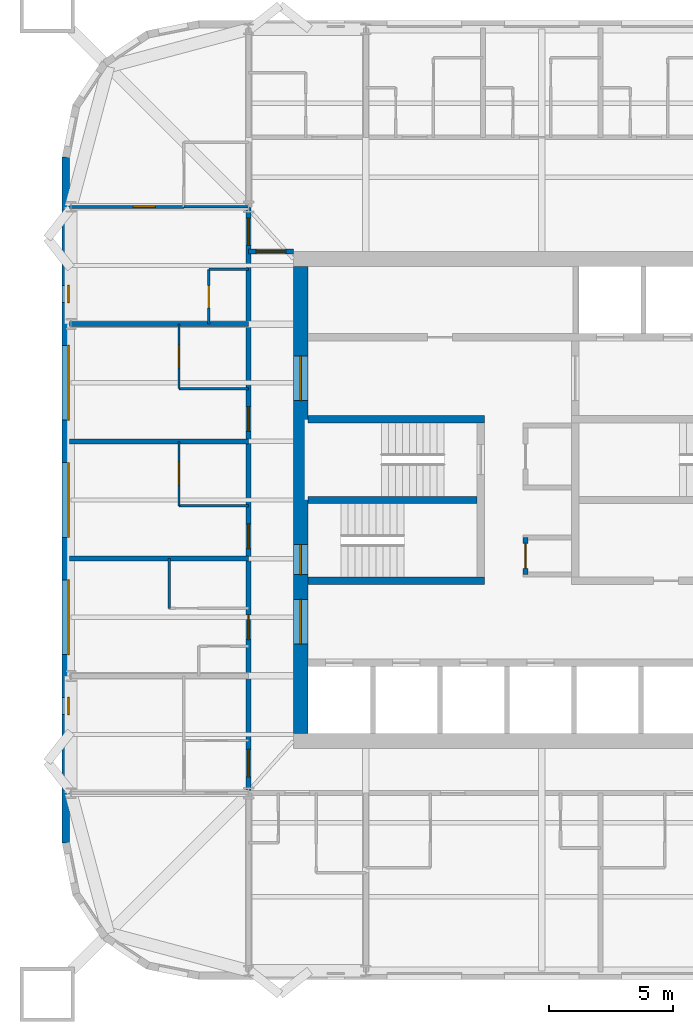
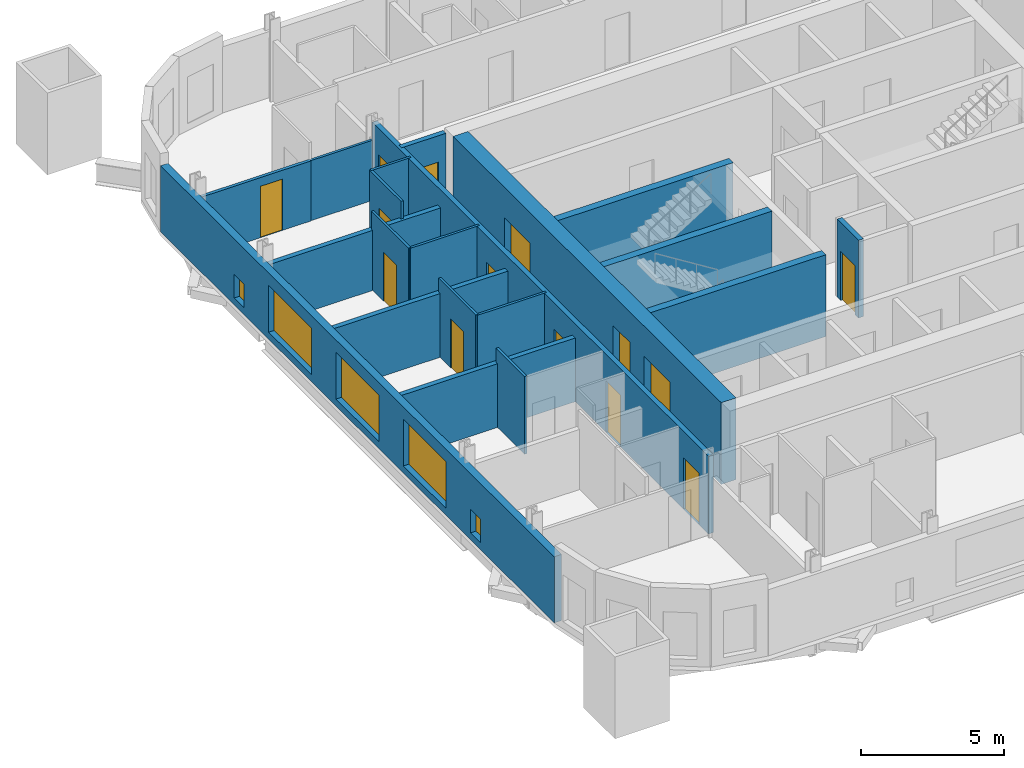
# One storey, part 4 of 9: 20 walls, 14 doors, 5 windows, 19 openings.
"""IFC4 building model written with IfcOpenShell, lengths in metres."""

import ifcopenshell
import ifcopenshell.guid

model = None  # the IFC model being written
_history = None  # IfcOwnerHistory: only IFC2X3 demands one
_inside = {}  # id of a spatial element -> (the spatial element, [elements in it])
_under = {}  # id of a project, library or spatial element -> (it, [spatial elements below it])
_declared = {}  # id of a project -> (the project, [libraries it declares])
_typed = {}  # id of a type object -> (the type object, [elements of that type])
_made_of = {}  # id of a material, layer set ... -> (it, [elements and type objects made of it])


def new_model(schema):
    """Start an empty IFC model of exactly this schema.

    Asked for "IFC4X3", IfcOpenShell would pick the latest addendum, in which some entities
    have other attributes; the version numbers below select the first issue.
    IFC2X3 requires an IfcOwnerHistory on every rooted entity: one is made here for all.
    """
    global model, _history
    if schema == "IFC4X3":
        model = ifcopenshell.file(schema_version=(4, 3, 0, 0))
    else:
        model = ifcopenshell.file(schema=schema)
    _inside.clear()
    _under.clear()
    _declared.clear()
    _typed.clear()
    _made_of.clear()
    _history = None
    if model.schema == "IFC2X3":
        org = make("IfcOrganization", Name="unknown")
        user = make(
            "IfcPersonAndOrganization",
            ThePerson=make("IfcPerson", FamilyName="unknown"),
            TheOrganization=org,
        )
        app = make(
            "IfcApplication",
            ApplicationDeveloper=org,
            Version="unknown",
            ApplicationFullName="unknown",
            ApplicationIdentifier="unknown",
        )
        _history = make(
            "IfcOwnerHistory",
            OwningUser=user,
            OwningApplication=app,
            ChangeAction="ADDED",
            CreationDate=0,
        )
    return model


def make(cls, **values):
    """One entity of the class cls with the attributes given. An attribute that is None is left unset."""
    return model.create_entity(
        cls, **{name: value for name, value in values.items() if value is not None}
    )


def rooted(cls, **values):
    """An entity with a GlobalId (a new one), such as an element, a storey or a relation."""
    return make(cls, GlobalId=ifcopenshell.guid.new(), OwnerHistory=_history, **values)


def si_unit(unit_type, name, prefix=None):
    """IfcSIUnit, for example si_unit("LENGTHUNIT", "METRE", prefix="MILLI")."""
    return make("IfcSIUnit", UnitType=unit_type, Prefix=prefix, Name=name)


def assignment(units):
    """IfcUnitAssignment: the units of a project."""
    return None if units is None else make("IfcUnitAssignment", Units=units)


def point(xyz):
    """IfcCartesianPoint."""
    return None if xyz is None else make("IfcCartesianPoint", Coordinates=xyz)


def direction(xyz):
    """IfcDirection."""
    return None if xyz is None else make("IfcDirection", DirectionRatios=xyz)


def frame(location, z_axis=None, x_axis=None):
    """IfcAxis2Placement3D, a coordinate frame: its origin and axes. An axis left out is left unset."""
    return make(
        "IfcAxis2Placement3D",
        Location=point(location),
        Axis=direction(z_axis),
        RefDirection=direction(x_axis),
    )


def frame_2d(location, x_axis=None):
    """IfcAxis2Placement2D, a coordinate frame in the plane: its origin and x axis."""
    return make(
        "IfcAxis2Placement2D", Location=point(location), RefDirection=direction(x_axis)
    )


def origin():
    """The frame at (0, 0, 0) with its axes left unset."""
    return frame((0.0, 0.0, 0.0))


def place(relative_to, where):
    """IfcLocalPlacement: puts the frame where relative to a parent placement (None: the world)."""
    return make(
        "IfcLocalPlacement", PlacementRelTo=relative_to, RelativePlacement=where
    )


def context(
    kind, dimensions, precision=None, world=None, true_north=None, identifier=None
):
    """IfcGeometricRepresentationContext, for example the 3D "Model" context."""
    return make(
        "IfcGeometricRepresentationContext",
        ContextIdentifier=identifier,
        ContextType=kind,
        CoordinateSpaceDimension=dimensions,
        Precision=precision,
        WorldCoordinateSystem=world,
        TrueNorth=true_north,
    )


def subcontext(parent, identifier, kind, view, scale=None):
    """IfcGeometricRepresentationSubContext, for example "Body" below "Model"."""
    return make(
        "IfcGeometricRepresentationSubContext",
        ContextIdentifier=identifier,
        ContextType=kind,
        ParentContext=parent,
        TargetScale=scale,
        TargetView=view,
    )


def project(units=None, contexts=None):
    """IfcProject with its units and contexts."""
    return rooted(
        "IfcProject",
        Name="project",
        RepresentationContexts=contexts,
        UnitsInContext=assignment(units),
    )


def spatial(cls, under=None, at=None, **own):
    """A site, building, storey or space (cls), placed at a placement, below another one or the project."""
    s = rooted(cls, ObjectPlacement=at, **own)
    if under is not None:
        _under.setdefault(under.id(), (under, []))[1].append(s)
    return s


def profile(cls, at=None, kind="AREA", **sizes):
    """A parametric profile (cls). Its sizes go by their IFC names, for example OverallWidth=200.0."""
    return make(cls, ProfileType=kind, Position=at, **sizes)


def rectangle(**sizes):
    """IfcRectangleProfileDef."""
    return profile("IfcRectangleProfileDef", **sizes)


def extrude(swept, where, along, depth):
    """IfcExtrudedAreaSolid: the profile swept, set in the frame where, extruded along a direction by depth."""
    return make(
        "IfcExtrudedAreaSolid",
        SweptArea=swept,
        Position=where,
        ExtrudedDirection=direction(along),
        Depth=depth,
    )


def shape(context_of_items, identifier, shape_type, items):
    """IfcShapeRepresentation: the items that make up one representation, for example the "Body"."""
    return make(
        "IfcShapeRepresentation",
        ContextOfItems=context_of_items,
        RepresentationIdentifier=identifier,
        RepresentationType=shape_type,
        Items=items,
    )


def material(Name=None, Category=None):
    """IfcMaterial."""
    return make("IfcMaterial", Name=Name, Category=Category)


def layer(
    of_material, thickness, ventilated=None, Name=None, Category=None, Priority=None
):
    """IfcMaterialLayer: one layer of a wall or slab, of a material (None: an air gap)."""
    return make(
        "IfcMaterialLayer",
        Material=of_material,
        LayerThickness=thickness,
        IsVentilated=ventilated,
        Name=Name,
        Category=Category,
        Priority=Priority,
    )


def layer_set(layers, Name=None):
    """IfcMaterialLayerSet."""
    return make("IfcMaterialLayerSet", MaterialLayers=layers, LayerSetName=Name)


def made_of(thing, what):
    """Note that an element or type object is made of a material, layer set ...; save() writes the relation."""
    if what is not None:
        _made_of.setdefault(what.id(), (what, []))[1].append(thing)
    return thing


def type_object(cls, material=None, **own):
    """A type object (cls), such as IfcWallType, which elements share."""
    return made_of(rooted(cls, **own), material)


def element(
    cls,
    number,
    at=None,
    inside=None,
    cuts=None,
    type_object=None,
    material=None,
    context=None,
    identifier="Body",
    shape_type=None,
    held_by="IfcProductDefinitionShape",
    body=None,
    shapes=None,
    **own,
):
    """One element of the class cls, such as IfcWall. Its Tag is "e" and its number.

    at: its placement. inside: the storey or other place that contains it. cuts: it is an
    opening in that element (IfcRelVoidsElement). A single representation is given by context,
    identifier, shape_type and body (its items); several are given by shapes. held_by: the class
    of the entity that holds the representations. save() writes the other relations.
    """
    e = rooted(cls, Tag="e%d" % number, ObjectPlacement=at, **own)
    if body is not None:
        shapes = [shape(context, identifier, shape_type, body)]
    if shapes is not None:
        e.Representation = make(held_by, Representations=shapes)
    if inside is not None:
        _inside.setdefault(inside.id(), (inside, []))[1].append(e)
    if cuts is not None:
        rooted(
            "IfcRelVoidsElement", RelatingBuildingElement=cuts, RelatedOpeningElement=e
        )
    if type_object is not None:
        _typed.setdefault(type_object.id(), (type_object, []))[1].append(e)
    return made_of(e, material)


def fill(opening, filler):
    """IfcRelFillsElement: the door or window that sits in an opening."""
    return rooted(
        "IfcRelFillsElement",
        RelatingOpeningElement=opening,
        RelatedBuildingElement=filler,
    )


def aggregate(whole, parts):
    """IfcRelAggregates: a whole, such as a stair, and the parts it consists of."""
    return rooted("IfcRelAggregates", RelatingObject=whole, RelatedObjects=parts)


def save(model, path):
    """Write the relations noted so far, then the file.

    IfcRelAggregates (storeys below a building ...), IfcRelContainedInSpatialStructure (elements
    in a storey), IfcRelDefinesByType, IfcRelAssociatesMaterial and IfcRelDeclares: one each for
    every whole, place, type object, material and project.
    """
    for whole, parts in _under.values():
        aggregate(whole, parts)
    for where, things in _inside.values():
        rooted(
            "IfcRelContainedInSpatialStructure",
            RelatedElements=things,
            RelatingStructure=where,
        )
    for kind, things in _typed.values():
        rooted("IfcRelDefinesByType", RelatedObjects=things, RelatingType=kind)
    for what, things in _made_of.values():
        rooted("IfcRelAssociatesMaterial", RelatedObjects=things, RelatingMaterial=what)
    for by, libraries in _declared.values():
        rooted("IfcRelDeclares", RelatingContext=by, RelatedDefinitions=libraries)
    model.write(path)


model = new_model("IFC4")

# Units and contexts
model_context = context("Model", 3, precision=1e-05, world=origin(), true_north=direction((0.0, 1.0)))
body_context = subcontext(model_context, "Body", "Model", "MODEL_VIEW")
ifc_project = project(units=[si_unit("LENGTHUNIT", "METRE"), si_unit("AREAUNIT", "SQUARE_METRE"), si_unit("VOLUMEUNIT", "CUBIC_METRE"), si_unit("PLANEANGLEUNIT", "RADIAN"), si_unit("MASSUNIT", "GRAM", prefix="KILO")], contexts=[model_context])

# Site, building, storey
site_placement = place(None, origin())
site = spatial("IfcSite", under=ifc_project, at=site_placement, CompositionType="ELEMENT")
building_placement = place(site_placement, origin())
building = spatial("IfcBuilding", under=site, at=building_placement, Name="Turquesa Mirador Hotel Tower", CompositionType="ELEMENT")
storey_placement = place(building_placement, frame((0.0, 0.0, 175.800048828125)))
storey = spatial("IfcBuildingStorey", under=building, at=storey_placement, Name="L47", CompositionType="ELEMENT", Elevation=175.800048828125)

# Walls
ifc_material_1 = material(Name="Gypsum board on steel studs", Category="steel")
ifc_layer_1 = layer(ifc_material_1, 0.10009765625)
ifc_layer_set_1 = layer_set([ifc_layer_1], Name="BATHROOM WALL 100")
wall_type_1 = type_object("IfcWallType", Name="BATHROOM WALL 100", PredefinedType="PARTITIONING", material=ifc_layer_set_1)
wall_1_placement = place(storey_placement, frame((40.39990234375, 44.760009765625, 0.0), z_axis=(0.0, 0.0, 1.0), x_axis=(1.0, 0.0, 0.0)))
element("IfcWall", 1, at=wall_1_placement, inside=storey, type_object=wall_type_1, Name="Partition L47 001", PredefinedType="PARTITIONING", context=body_context, shape_type="SweptSolid", body=[
    extrude(rectangle(XDim=2.800048828125, YDim=0.10009765625, at=frame_2d((1.39990234375, 0.0))), origin(), (0.0, 0.0, 1.0), 3.329833984375),
])
wall_2_placement = place(storey_placement, frame((40.60009765625, 56.800048828125, 0.0), z_axis=(0.0, 0.0, 1.0), x_axis=(1.0, 0.0, 0.0)))
element("IfcWall", 2, at=wall_2_placement, inside=storey, type_object=wall_type_1, Name="Partition L47 026", PredefinedType="PARTITIONING", context=body_context, shape_type="SweptSolid", body=[
    extrude(rectangle(XDim=2.599853515625, YDim=0.10009765625, at=frame_2d((1.2998046875, 0.0))), origin(), (0.0, 0.0, 1.0), 2.572998046875),
])
wall_3_placement = place(storey_placement, frame((40.39990234375, 49.47998046875, 0.0), z_axis=(0.0, 0.0, 1.0), x_axis=(1.0, 0.0, 0.0)))
element("IfcWall", 3, at=wall_3_placement, inside=storey, type_object=wall_type_1, Name="Partition L47 042", PredefinedType="PARTITIONING", context=body_context, shape_type="SweptSolid", body=[
    extrude(rectangle(XDim=2.800048828125, YDim=0.10009765625, at=frame_2d((1.39990234375, 0.0))), origin(), (0.0, 0.0, 1.0), 3.329833984375),
])
wall_4_placement = place(storey_placement, frame((41.60009765625, 54.280029296875, 0.0), z_axis=(0.0, 0.0, 1.0), x_axis=(1.0, 0.0, 0.0)))
element("IfcWall", 4, at=wall_4_placement, inside=storey, type_object=wall_type_1, Name="Partition L47 046", PredefinedType="PARTITIONING", context=body_context, shape_type="SweptSolid", body=[
    extrude(rectangle(XDim=1.599853515625, YDim=0.10009765625, at=frame_2d((0.7998046875, 0.0))), origin(), (0.0, 0.0, 1.0), 3.329833984375),
])

# Wall, opening, door
wall_5_placement = place(storey_placement, frame((41.60009765625, 52.080078125, 0.0), z_axis=(0.0, 0.0, 1.0), x_axis=(0.0, 1.0, 0.0)))
wall_5 = element("IfcWall", 5, at=wall_5_placement, inside=storey, type_object=wall_type_1, Name="Partition L47 053", PredefinedType="PARTITIONING", context=body_context, shape_type="SweptSolid", body=[
    extrude(rectangle(XDim=2.199951171875, YDim=0.10009765625, at=frame_2d((1.10009765625, 0.0))), origin(), (0.0, 0.0, 1.0), 3.329833984375),
])
opening_1_placement = place(wall_5_placement, frame((0.64990234375, 0.0, 0.0)))
opening_1 = element("IfcOpeningElement", 6, at=opening_1_placement, cuts=wall_5, Name="Opening D06", PredefinedType="OPENING", context=body_context, shape_type="SweptSolid", body=[
    extrude(rectangle(XDim=0.89990234375, YDim=2.10009765625, at=frame_2d((0.449951171875, 1.050048828125))), frame((0.0, 0.06005859375, 0.0), z_axis=(0.0, -1.0, 0.0), x_axis=(1.0, 0.0, 0.0)), (0.0, 0.0, 1.0), 0.1201171875),
])
ifc_material_2 = material(Name="Laminate door", Category="wood")
door_type_1 = type_object("IfcDoorType", Name="DOOR 900X2100 WC", OperationType="SINGLE_SWING_LEFT", PredefinedType="DOOR", material=ifc_material_2)
door_1_placement = place(opening_1_placement, origin())
door_1 = element("IfcDoor", 7, at=door_1_placement, inside=storey, type_object=door_type_1, Name="Door 4716W", OperationType="SINGLE_SWING_LEFT", OverallHeight=2.10009765625, OverallWidth=0.89990234375, PredefinedType="DOOR", context=body_context, shape_type="SweptSolid", body=[
    extrude(rectangle(XDim=0.89990234375, YDim=2.10009765625, at=frame_2d((0.449951171875, 1.050048828125))), frame((0.0, 0.02490234375, 0.0), z_axis=(0.0, -1.0, 0.0), x_axis=(1.0, 0.0, 0.0)), (0.0, 0.0, 1.0), 0.050048828125),
])
fill(opening_1, door_1)

wall_6_placement = place(storey_placement, frame((40.39990234375, 44.760009765625, 0.0), z_axis=(0.0, 0.0, 1.0), x_axis=(0.0, 1.0, 0.0)))
wall_6 = element("IfcWall", 8, at=wall_6_placement, inside=storey, type_object=wall_type_1, Name="Partition L47 058", PredefinedType="PARTITIONING", context=body_context, shape_type="SweptSolid", body=[
    extrude(rectangle(XDim=2.60009765625, YDim=0.10009765625, at=frame_2d((1.300048828125, 0.0))), origin(), (0.0, 0.0, 1.0), 3.329833984375),
])
opening_2_placement = place(wall_6_placement, frame((0.85009765625, 0.0, 0.0)))
opening_2 = element("IfcOpeningElement", 9, at=opening_2_placement, cuts=wall_6, Name="Opening D02", PredefinedType="OPENING", context=body_context, shape_type="SweptSolid", body=[
    extrude(rectangle(XDim=0.89990234375, YDim=2.10009765625, at=frame_2d((0.449951171875, 1.050048828125))), frame((0.0, 0.06005859375, 0.0), z_axis=(0.0, -1.0, 0.0), x_axis=(1.0, 0.0, 0.0)), (0.0, 0.0, 1.0), 0.1201171875),
])
ifc_material_3 = material(Name="Timber veneered door", Category="wood")
door_type_2 = type_object("IfcDoorType", Name="DOOR 900X2100 EN-SUITE", OperationType="SINGLE_SWING_RIGHT", PredefinedType="DOOR", material=ifc_material_3)
door_2_placement = place(opening_2_placement, origin())
door_2 = element("IfcDoor", 10, at=door_2_placement, inside=storey, type_object=door_type_2, Name="Door 4713B", OperationType="SINGLE_SWING_RIGHT", OverallHeight=2.10009765625, OverallWidth=0.89990234375, PredefinedType="DOOR", context=body_context, shape_type="SweptSolid", body=[
    extrude(rectangle(XDim=0.89990234375, YDim=2.10009765625, at=frame_2d((0.449951171875, 1.050048828125))), frame((0.0, 0.02490234375, 0.0), z_axis=(0.0, -1.0, 0.0), x_axis=(1.0, 0.0, 0.0)), (0.0, 0.0, 1.0), 0.050048828125),
])
fill(opening_2, door_2)

wall_7_placement = place(storey_placement, frame((40.39990234375, 49.47998046875, 0.0), z_axis=(0.0, 0.0, 1.0), x_axis=(0.0, 1.0, 0.0)))
wall_7 = element("IfcWall", 11, at=wall_7_placement, inside=storey, type_object=wall_type_1, Name="Partition L47 059", PredefinedType="PARTITIONING", context=body_context, shape_type="SweptSolid", body=[
    extrude(rectangle(XDim=2.60009765625, YDim=0.10009765625, at=frame_2d((1.300048828125, 0.0))), origin(), (0.0, 0.0, 1.0), 3.329833984375),
])
opening_3_placement = place(wall_7_placement, frame((0.85009765625, 0.0, 0.0)))
opening_3 = element("IfcOpeningElement", 12, at=opening_3_placement, cuts=wall_7, Name="Opening D02", PredefinedType="OPENING", context=body_context, shape_type="SweptSolid", body=[
    extrude(rectangle(XDim=0.89990234375, YDim=2.10009765625, at=frame_2d((0.449951171875, 1.050048828125))), frame((0.0, 0.06005859375, 0.0), z_axis=(0.0, -1.0, 0.0), x_axis=(1.0, 0.0, 0.0)), (0.0, 0.0, 1.0), 0.1201171875),
])
door_3_placement = place(opening_3_placement, origin())
door_3 = element("IfcDoor", 13, at=door_3_placement, inside=storey, type_object=door_type_2, Name="Door 4714B", OperationType="SINGLE_SWING_RIGHT", OverallHeight=2.10009765625, OverallWidth=0.89990234375, PredefinedType="DOOR", context=body_context, shape_type="SweptSolid", body=[
    extrude(rectangle(XDim=0.89990234375, YDim=2.10009765625, at=frame_2d((0.449951171875, 1.050048828125))), frame((0.0, 0.02490234375, 0.0), z_axis=(0.0, -1.0, 0.0), x_axis=(1.0, 0.0, 0.0)), (0.0, 0.0, 1.0), 0.050048828125),
])
fill(opening_3, door_3)

# Walls
wall_8_placement = place(storey_placement, frame((40.0, 40.639892578125, 0.0), z_axis=(0.0, 0.0, 1.0), x_axis=(0.0, 1.0, 0.0)))
element("IfcWall", 14, at=wall_8_placement, inside=storey, type_object=wall_type_1, Name="Partition L47 060", PredefinedType="PARTITIONING", context=body_context, shape_type="SweptSolid", body=[
    extrude(rectangle(XDim=2.0, YDim=0.10009765625, at=frame_2d((1.0, 0.0))), origin(), (0.0, 0.0, 1.0), 3.329833984375),
])
ifc_material_4 = material(Name="Concrete C50/60", Category="concrete")
ifc_layer_2 = layer(ifc_material_4, 0.300048828125)
ifc_layer_set_2 = layer_set([ifc_layer_2], Name="CORE INNER WALL 300")
wall_type_2 = type_object("IfcWallType", Name="CORE INNER WALL 300", PredefinedType="SHEAR", material=ifc_layer_set_2)
for number, where, z_axis, x_axis, name in (
    (15, (45.60009765625, 48.25, 0.0), (0.0, 0.0, 1.0), (1.0, 0.0, 0.0), "Core wall MN-W"),
    (16, (45.60009765625, 41.75, 0.0), (0.0, 0.0, 1.0), (1.0, 0.0, 0.0), "Core wall MS-W"),
):
    element("IfcWall", number, at=place(storey_placement, frame(where, z_axis=z_axis, x_axis=x_axis)), inside=storey, type_object=wall_type_2, Name=name, PredefinedType="SHEAR", context=body_context, shape_type="SweptSolid", body=[
        extrude(rectangle(XDim=7.099853515625, YDim=0.300048828125, at=frame_2d((3.5498046875, 0.0))), origin(), (0.0, 0.0, 1.0), 3.5),
    ])
wall_9_placement = place(storey_placement, frame((45.60009765625, 45.0, 0.0), z_axis=(0.0, 0.0, 1.0), x_axis=(1.0, 0.0, 0.0)))
element("IfcWall", 17, at=wall_9_placement, inside=storey, type_object=wall_type_2, Name="Core wall M0-W", PredefinedType="SHEAR", context=body_context, shape_type="SweptSolid", body=[
    extrude(rectangle(XDim=6.7998046875, YDim=0.300048828125, at=frame_2d((3.39990234375, 0.0))), origin(), (0.0, 0.0, 1.0), 3.5),
])

# Wall, openings, doors
ifc_material_5 = material(Name="Concrete C50/60", Category="concrete")
ifc_layer_3 = layer(ifc_material_5, 0.60009765625)
ifc_layer_set_3 = layer_set([ifc_layer_3], Name="CORE WALL 600")
wall_type_3 = type_object("IfcWallType", Name="CORE WALL 600", PredefinedType="SHEAR", material=ifc_layer_set_3)
wall_10_placement = place(storey_placement, frame((45.300048828125, 35.60009765625, 0.0), z_axis=(0.0, 0.0, 1.0), x_axis=(0.0, 1.0, 0.0)))
wall_10 = element("IfcWall", 18, at=wall_10_placement, inside=storey, type_object=wall_type_3, Name="Core wall W", PredefinedType="SHEAR", context=body_context, shape_type="SweptSolid", body=[
    extrude(rectangle(XDim=18.7998046875, YDim=0.60009765625, at=frame_2d((9.39990234375, 0.0))), origin(), (0.0, 0.0, 1.0), 3.5),
])
opening_4_placement = place(wall_10_placement, frame((13.39990234375, 0.0, 0.0)))
opening_4 = element("IfcOpeningElement", 19, at=opening_4_placement, cuts=wall_10, Name="Opening D04", PredefinedType="OPENING", context=body_context, shape_type="SweptSolid", body=[
    extrude(rectangle(XDim=1.800048828125, YDim=2.199951171875, at=frame_2d((0.89990234375, 1.10009765625))), frame((0.0, 0.31005859375, 0.0), z_axis=(0.0, -1.0, 0.0), x_axis=(1.0, 0.0, 0.0)), (0.0, 0.0, 1.0), 0.6201171875),
])
opening_5_placement = place(wall_10_placement, frame((3.60009765625, 0.0, 0.0)))
opening_5 = element("IfcOpeningElement", 20, at=opening_5_placement, cuts=wall_10, Name="Opening D04", PredefinedType="OPENING", context=body_context, shape_type="SweptSolid", body=[
    extrude(rectangle(XDim=1.800048828125, YDim=2.199951171875, at=frame_2d((0.89990234375, 1.10009765625))), frame((0.0, 0.31005859375, 0.0), z_axis=(0.0, -1.0, 0.0), x_axis=(1.0, 0.0, 0.0)), (0.0, 0.0, 1.0), 0.6201171875),
])
opening_6_placement = place(wall_10_placement, frame((6.39990234375, 0.0, 0.0)))
opening_6 = element("IfcOpeningElement", 21, at=opening_6_placement, cuts=wall_10, Name="Opening D03", PredefinedType="OPENING", context=body_context, shape_type="SweptSolid", body=[
    extrude(rectangle(XDim=1.199951171875, YDim=2.199951171875, at=frame_2d((0.60009765625, 1.10009765625))), frame((0.0, 0.31005859375, 0.0), z_axis=(0.0, -1.0, 0.0), x_axis=(1.0, 0.0, 0.0)), (0.0, 0.0, 1.0), 0.6201171875),
])
ifc_material_6 = material(Name="Steel fire door", Category="steel")
door_type_3 = type_object("IfcDoorType", Name="DOOR 1200X2200 STAIR", OperationType="SINGLE_SWING_LEFT", PredefinedType="DOOR", material=ifc_material_6)
door_4_placement = place(opening_6_placement, origin())
door_4 = element("IfcDoor", 22, at=door_4_placement, inside=storey, type_object=door_type_3, Name="Stair ST2 door", OperationType="SINGLE_SWING_LEFT", OverallHeight=2.199951171875, OverallWidth=1.199951171875, PredefinedType="DOOR", context=body_context, shape_type="SweptSolid", body=[
    extrude(rectangle(XDim=1.199951171875, YDim=2.199951171875, at=frame_2d((0.60009765625, 1.10009765625))), frame((0.0, 0.02490234375, 0.0), z_axis=(0.0, -1.0, 0.0), x_axis=(1.0, 0.0, 0.0)), (0.0, 0.0, 1.0), 0.050048828125),
])
fill(opening_6, door_4)
ifc_material_7 = material(Name="Steel fire door pair", Category="steel")
door_type_4 = type_object("IfcDoorType", Name="DOOR 1800X2200 PAIR", OperationType="DOUBLE_DOOR_SINGLE_SWING", PredefinedType="DOOR", material=ifc_material_7)
door_5_placement = place(opening_4_placement, origin())
door_5 = element("IfcDoor", 23, at=door_5_placement, inside=storey, type_object=door_type_4, Name="North lift lobby door", OperationType="DOUBLE_DOOR_SINGLE_SWING", OverallHeight=2.199951171875, OverallWidth=1.800048828125, PredefinedType="DOOR", context=body_context, shape_type="SweptSolid", body=[
    extrude(rectangle(XDim=1.800048828125, YDim=2.199951171875, at=frame_2d((0.89990234375, 1.10009765625))), frame((0.0, 0.02490234375, 0.0), z_axis=(0.0, -1.0, 0.0), x_axis=(1.0, 0.0, 0.0)), (0.0, 0.0, 1.0), 0.050048828125),
])
fill(opening_4, door_5)
door_6_placement = place(opening_5_placement, origin())
door_6 = element("IfcDoor", 24, at=door_6_placement, inside=storey, type_object=door_type_4, Name="South lift lobby door", OperationType="DOUBLE_DOOR_SINGLE_SWING", OverallHeight=2.199951171875, OverallWidth=1.800048828125, PredefinedType="DOOR", context=body_context, shape_type="SweptSolid", body=[
    extrude(rectangle(XDim=1.800048828125, YDim=2.199951171875, at=frame_2d((0.89990234375, 1.10009765625))), frame((0.0, 0.02490234375, 0.0), z_axis=(0.0, -1.0, 0.0), x_axis=(1.0, 0.0, 0.0)), (0.0, 0.0, 1.0), 0.050048828125),
])
fill(opening_5, door_6)

# Wall, opening, door
ifc_material_8 = material(Name="Fire-rated gypsum board on steel studs", Category="steel")
ifc_layer_4 = layer(ifc_material_8, 0.199951171875)
ifc_layer_set_4 = layer_set([ifc_layer_4], Name="CORRIDOR WALL 200")
wall_type_4 = type_object("IfcWallType", Name="CORRIDOR WALL 200", PredefinedType="PARTITIONING", material=ifc_layer_set_4)
wall_11_placement = place(storey_placement, frame((43.199951171875, 55.0, 0.0), z_axis=(0.0, 0.0, 1.0), x_axis=(1.0, 0.0, 0.0)))
wall_11 = element("IfcWall", 25, at=wall_11_placement, inside=storey, type_object=wall_type_4, Name="Partition L47 024", PredefinedType="PARTITIONING", context=body_context, shape_type="SweptSolid", body=[
    extrude(rectangle(XDim=1.800048828125, YDim=0.199951171875, at=frame_2d((0.89990234375, 0.0))), origin(), (0.0, 0.0, 1.0), 3.329833984375),
])
opening_7_placement = place(wall_11_placement, frame((0.300048828125, 0.0, 0.0)))
opening_7 = element("IfcOpeningElement", 26, at=opening_7_placement, cuts=wall_11, Name="Opening D19", PredefinedType="OPENING", context=body_context, shape_type="SweptSolid", body=[
    extrude(rectangle(XDim=1.199951171875, YDim=2.199951171875, at=frame_2d((0.60009765625, 1.10009765625))), frame((0.0, 0.10986328125, 0.0), z_axis=(0.0, -1.0, 0.0), x_axis=(1.0, 0.0, 0.0)), (0.0, 0.0, 1.0), 0.219970703125),
])
ifc_material_9 = material(Name="Steel glazed fire door", Category="steel")
door_type_5 = type_object("IfcDoorType", Name="DOOR 1200X2200 FIRE DOOR GLAZED", OperationType="SINGLE_SWING_LEFT", PredefinedType="DOOR", material=ifc_material_9)
door_7_placement = place(opening_7_placement, origin())
door_7 = element("IfcDoor", 27, at=door_7_placement, inside=storey, type_object=door_type_5, Name="Door L47-C03", OperationType="SINGLE_SWING_LEFT", OverallHeight=2.199951171875, OverallWidth=1.199951171875, PredefinedType="DOOR", context=body_context, shape_type="SweptSolid", body=[
    extrude(rectangle(XDim=1.199951171875, YDim=2.199951171875, at=frame_2d((0.60009765625, 1.10009765625))), frame((0.0, 0.02490234375, 0.0), z_axis=(0.0, -1.0, 0.0), x_axis=(1.0, 0.0, 0.0)), (0.0, 0.0, 1.0), 0.050048828125),
])
fill(opening_7, door_7)

# Wall, openings, doors
wall_12_placement = place(storey_placement, frame((43.199951171875, 33.199951171875, 0.0), z_axis=(0.0, 0.0, 1.0), x_axis=(0.0, 1.0, 0.0)))
wall_12 = element("IfcWall", 28, at=wall_12_placement, inside=storey, type_object=wall_type_4, Name="Partition L47 050", PredefinedType="PARTITIONING", context=body_context, shape_type="SweptSolid", body=[
    extrude(rectangle(XDim=23.580078125, YDim=0.199951171875, at=frame_2d((11.7900390625, 0.0))), origin(), (0.0, 0.0, 1.0), 3.329833984375),
])
opening_8_placement = place(wall_12_placement, frame((6.179931640625, 0.0, 0.0)))
opening_8 = element("IfcOpeningElement", 29, at=opening_8_placement, cuts=wall_12, Name="Opening D01", PredefinedType="OPENING", context=body_context, shape_type="SweptSolid", body=[
    extrude(rectangle(XDim=1.0, YDim=2.199951171875, at=frame_2d((0.5, 1.10009765625))), frame((0.0, 0.10986328125, 0.0), z_axis=(0.0, -1.0, 0.0), x_axis=(1.0, 0.0, 0.0)), (0.0, 0.0, 1.0), 0.219970703125),
])
opening_9_placement = place(wall_12_placement, frame((9.840087890625, 0.0, 0.0)))
opening_9 = element("IfcOpeningElement", 30, at=opening_9_placement, cuts=wall_12, Name="Opening D01", PredefinedType="OPENING", context=body_context, shape_type="SweptSolid", body=[
    extrude(rectangle(XDim=1.0, YDim=2.199951171875, at=frame_2d((0.5, 1.10009765625))), frame((0.0, 0.10986328125, 0.0), z_axis=(0.0, -1.0, 0.0), x_axis=(1.0, 0.0, 0.0)), (0.0, 0.0, 1.0), 0.219970703125),
])
opening_10_placement = place(wall_12_placement, frame((14.56005859375, 0.0, 0.0)))
opening_10 = element("IfcOpeningElement", 31, at=opening_10_placement, cuts=wall_12, Name="Opening D01", PredefinedType="OPENING", context=body_context, shape_type="SweptSolid", body=[
    extrude(rectangle(XDim=1.0, YDim=2.199951171875, at=frame_2d((0.5, 1.10009765625))), frame((0.0, 0.10986328125, 0.0), z_axis=(0.0, -1.0, 0.0), x_axis=(1.0, 0.0, 0.0)), (0.0, 0.0, 1.0), 0.219970703125),
])
opening_11_placement = place(wall_12_placement, frame((22.050048828125, 0.0, 0.0)))
opening_11 = element("IfcOpeningElement", 32, at=opening_11_placement, cuts=wall_12, Name="Opening D15", PredefinedType="OPENING", context=body_context, shape_type="SweptSolid", body=[
    extrude(rectangle(XDim=1.10009765625, YDim=2.199951171875, at=frame_2d((0.550048828125, 1.10009765625))), frame((0.0, 0.10986328125, 0.0), z_axis=(0.0, -1.0, 0.0), x_axis=(1.0, 0.0, 0.0)), (0.0, 0.0, 1.0), 0.219970703125),
])
opening_12_placement = place(wall_12_placement, frame((0.659912109375, 0.0, 0.0)))
opening_12 = element("IfcOpeningElement", 33, at=opening_12_placement, cuts=wall_12, Name="Opening D15", PredefinedType="OPENING", context=body_context, shape_type="SweptSolid", body=[
    extrude(rectangle(XDim=1.10009765625, YDim=2.199951171875, at=frame_2d((0.550048828125, 1.10009765625))), frame((0.0, 0.10986328125, 0.0), z_axis=(0.0, -1.0, 0.0), x_axis=(1.0, 0.0, 0.0)), (0.0, 0.0, 1.0), 0.219970703125),
])
ifc_material_10 = material(Name="Timber veneered fire door", Category="wood")
door_type_6 = type_object("IfcDoorType", Name="DOOR 1000X2200 GUEST ENTRY", OperationType="SINGLE_SWING_LEFT", PredefinedType="DOOR", material=ifc_material_10)
door_8_placement = place(opening_8_placement, origin())
door_8 = element("IfcDoor", 34, at=door_8_placement, inside=storey, type_object=door_type_6, Name="Door 4712", OperationType="SINGLE_SWING_LEFT", OverallHeight=2.199951171875, OverallWidth=1.0, PredefinedType="DOOR", context=body_context, shape_type="SweptSolid", body=[
    extrude(rectangle(XDim=1.0, YDim=2.199951171875, at=frame_2d((0.5, 1.10009765625))), frame((0.0, 0.02490234375, 0.0), z_axis=(0.0, -1.0, 0.0), x_axis=(1.0, 0.0, 0.0)), (0.0, 0.0, 1.0), 0.050048828125),
])
fill(opening_8, door_8)
door_9_placement = place(opening_9_placement, origin())
door_9 = element("IfcDoor", 35, at=door_9_placement, inside=storey, type_object=door_type_6, Name="Door 4713", OperationType="SINGLE_SWING_LEFT", OverallHeight=2.199951171875, OverallWidth=1.0, PredefinedType="DOOR", context=body_context, shape_type="SweptSolid", body=[
    extrude(rectangle(XDim=1.0, YDim=2.199951171875, at=frame_2d((0.5, 1.10009765625))), frame((0.0, 0.02490234375, 0.0), z_axis=(0.0, -1.0, 0.0), x_axis=(1.0, 0.0, 0.0)), (0.0, 0.0, 1.0), 0.050048828125),
])
fill(opening_9, door_9)
door_10_placement = place(opening_10_placement, origin())
door_10 = element("IfcDoor", 36, at=door_10_placement, inside=storey, type_object=door_type_6, Name="Door 4714", OperationType="SINGLE_SWING_LEFT", OverallHeight=2.199951171875, OverallWidth=1.0, PredefinedType="DOOR", context=body_context, shape_type="SweptSolid", body=[
    extrude(rectangle(XDim=1.0, YDim=2.199951171875, at=frame_2d((0.5, 1.10009765625))), frame((0.0, 0.02490234375, 0.0), z_axis=(0.0, -1.0, 0.0), x_axis=(1.0, 0.0, 0.0)), (0.0, 0.0, 1.0), 0.050048828125),
])
fill(opening_10, door_10)
ifc_material_11 = material(Name="Timber veneered fire door", Category="wood")
door_type_7 = type_object("IfcDoorType", Name="DOOR 1100X2200 SUITE ENTRY", OperationType="SINGLE_SWING_LEFT", PredefinedType="DOOR", material=ifc_material_11)
door_11_placement = place(opening_11_placement, origin())
door_11 = element("IfcDoor", 37, at=door_11_placement, inside=storey, type_object=door_type_7, Name="Door 4716", OperationType="SINGLE_SWING_LEFT", OverallHeight=2.199951171875, OverallWidth=1.10009765625, PredefinedType="DOOR", context=body_context, shape_type="SweptSolid", body=[
    extrude(rectangle(XDim=1.10009765625, YDim=2.199951171875, at=frame_2d((0.550048828125, 1.10009765625))), frame((0.0, 0.02490234375, 0.0), z_axis=(0.0, -1.0, 0.0), x_axis=(1.0, 0.0, 0.0)), (0.0, 0.0, 1.0), 0.050048828125),
])
fill(opening_11, door_11)
door_12_placement = place(opening_12_placement, origin())
door_12 = element("IfcDoor", 38, at=door_12_placement, inside=storey, type_object=door_type_7, Name="Door 4717H", OperationType="SINGLE_SWING_LEFT", OverallHeight=2.199951171875, OverallWidth=1.10009765625, PredefinedType="DOOR", context=body_context, shape_type="SweptSolid", body=[
    extrude(rectangle(XDim=1.10009765625, YDim=2.199951171875, at=frame_2d((0.550048828125, 1.10009765625))), frame((0.0, 0.02490234375, 0.0), z_axis=(0.0, -1.0, 0.0), x_axis=(1.0, 0.0, 0.0)), (0.0, 0.0, 1.0), 0.050048828125),
])
fill(opening_12, door_12)

# Wall, openings, windows
ifc_material_12 = material(Name="Limestone cladding on concrete block", Category="masonry")
ifc_layer_5 = layer(ifc_material_12, 0.300048828125)
ifc_layer_set_5 = layer_set([ifc_layer_5], Name="FACADE WALL 300 STONE SCREEN")
wall_type_5 = type_object("IfcWallType", Name="FACADE WALL 300 STONE SCREEN", PredefinedType="SOLIDWALL", material=ifc_layer_set_5)
wall_13_placement = place(storey_placement, frame((35.85009765625, 58.800048828125, 0.0), z_axis=(0.0, 0.0, 1.0), x_axis=(0.0, -1.0, 0.0)))
wall_13 = element("IfcWall", 39, at=wall_13_placement, inside=storey, type_object=wall_type_5, Name="Facade wall L47 14", PredefinedType="SOLIDWALL", context=body_context, shape_type="SweptSolid", body=[
    extrude(rectangle(XDim=27.60009765625, YDim=0.300048828125, at=frame_2d((13.800048828125, 0.0))), origin(), (0.0, 0.0, 1.0), 2.829833984375),
])
opening_13_placement = place(wall_13_placement, frame((5.159912109375, 0.0, 0.300048828125)))
opening_13 = element("IfcOpeningElement", 40, at=opening_13_placement, cuts=wall_13, Name="Opening WN32", PredefinedType="OPENING", context=body_context, shape_type="SweptSolid", body=[
    extrude(rectangle(XDim=0.699951171875, YDim=1.0, at=frame_2d((0.35009765625, 0.5))), frame((0.0, 0.159912109375, 0.0), z_axis=(0.0, -1.0, 0.0), x_axis=(1.0, 0.0, 0.0)), (0.0, 0.0, 1.0), 0.320068359375),
])
opening_14_placement = place(wall_13_placement, frame((7.580078125, 0.0, 0.300048828125)))
opening_14 = element("IfcOpeningElement", 41, at=opening_14_placement, cuts=wall_13, Name="Opening WN1", PredefinedType="OPENING", context=body_context, shape_type="SweptSolid", body=[
    extrude(rectangle(XDim=3.0, YDim=2.0, at=frame_2d((1.5, 1.0))), frame((0.0, 0.159912109375, 0.0), z_axis=(0.0, -1.0, 0.0), x_axis=(1.0, 0.0, 0.0)), (0.0, 0.0, 1.0), 0.320068359375),
])
opening_15_placement = place(wall_13_placement, frame((12.300048828125, 0.0, 0.300048828125)))
opening_15 = element("IfcOpeningElement", 42, at=opening_15_placement, cuts=wall_13, Name="Opening WN1", PredefinedType="OPENING", context=body_context, shape_type="SweptSolid", body=[
    extrude(rectangle(XDim=3.0, YDim=2.0, at=frame_2d((1.5, 1.0))), frame((0.0, 0.159912109375, 0.0), z_axis=(0.0, -1.0, 0.0), x_axis=(1.0, 0.0, 0.0)), (0.0, 0.0, 1.0), 0.320068359375),
])
opening_16_placement = place(wall_13_placement, frame((17.02001953125, 0.0, 0.300048828125)))
opening_16 = element("IfcOpeningElement", 43, at=opening_16_placement, cuts=wall_13, Name="Opening WN1", PredefinedType="OPENING", context=body_context, shape_type="SweptSolid", body=[
    extrude(rectangle(XDim=3.0, YDim=2.0, at=frame_2d((1.5, 1.0))), frame((0.0, 0.159912109375, 0.0), z_axis=(0.0, -1.0, 0.0), x_axis=(1.0, 0.0, 0.0)), (0.0, 0.0, 1.0), 0.320068359375),
])
opening_17_placement = place(wall_13_placement, frame((21.739990234375, 0.0, 0.300048828125)))
opening_17 = element("IfcOpeningElement", 44, at=opening_17_placement, cuts=wall_13, Name="Opening WN32", PredefinedType="OPENING", context=body_context, shape_type="SweptSolid", body=[
    extrude(rectangle(XDim=0.699951171875, YDim=1.0, at=frame_2d((0.35009765625, 0.5))), frame((0.0, 0.159912109375, 0.0), z_axis=(0.0, -1.0, 0.0), x_axis=(1.0, 0.0, 0.0)), (0.0, 0.0, 1.0), 0.320068359375),
])
ifc_material_13 = material(Name="Ceramic-fritted laminated glass", Category="glass")
window_type_1 = type_object("IfcWindowType", Name="FRITTED WINDOW 3000X2000", PartitioningType="DOUBLE_PANEL_HORIZONTAL", PredefinedType="WINDOW", material=ifc_material_13)
window_1_placement = place(opening_14_placement, origin())
window_1 = element("IfcWindow", 45, at=window_1_placement, inside=storey, type_object=window_type_1, Name="Window L47", OverallHeight=2.0, OverallWidth=3.0, PartitioningType="SINGLE_PANEL", PredefinedType="WINDOW", context=body_context, shape_type="SweptSolid", body=[
    extrude(rectangle(XDim=3.0, YDim=2.0, at=frame_2d((1.5, 1.0))), frame((0.0, 0.130126953125, 0.0), z_axis=(0.0, -1.0, 0.0), x_axis=(1.0, 0.0, 0.0)), (0.0, 0.0, 1.0), 0.06005859375),
])
fill(opening_14, window_1)
window_2_placement = place(opening_15_placement, origin())
window_2 = element("IfcWindow", 46, at=window_2_placement, inside=storey, type_object=window_type_1, Name="Window L47", OverallHeight=2.0, OverallWidth=3.0, PartitioningType="SINGLE_PANEL", PredefinedType="WINDOW", context=body_context, shape_type="SweptSolid", body=[
    extrude(rectangle(XDim=3.0, YDim=2.0, at=frame_2d((1.5, 1.0))), frame((0.0, 0.130126953125, 0.0), z_axis=(0.0, -1.0, 0.0), x_axis=(1.0, 0.0, 0.0)), (0.0, 0.0, 1.0), 0.06005859375),
])
fill(opening_15, window_2)
window_3_placement = place(opening_16_placement, origin())
window_3 = element("IfcWindow", 47, at=window_3_placement, inside=storey, type_object=window_type_1, Name="Window L47", OverallHeight=2.0, OverallWidth=3.0, PartitioningType="SINGLE_PANEL", PredefinedType="WINDOW", context=body_context, shape_type="SweptSolid", body=[
    extrude(rectangle(XDim=3.0, YDim=2.0, at=frame_2d((1.5, 1.0))), frame((0.0, 0.130126953125, 0.0), z_axis=(0.0, -1.0, 0.0), x_axis=(1.0, 0.0, 0.0)), (0.0, 0.0, 1.0), 0.06005859375),
])
fill(opening_16, window_3)
ifc_material_14 = material(Name="Ceramic-fritted laminated glass", Category="glass")
window_type_2 = type_object("IfcWindowType", Name="FRITTED WINDOW 700X1000", PartitioningType="DOUBLE_PANEL_HORIZONTAL", PredefinedType="WINDOW", material=ifc_material_14)
window_4_placement = place(opening_13_placement, origin())
window_4 = element("IfcWindow", 48, at=window_4_placement, inside=storey, type_object=window_type_2, Name="Window L47", OverallHeight=1.0, OverallWidth=0.699951171875, PartitioningType="SINGLE_PANEL", PredefinedType="WINDOW", context=body_context, shape_type="SweptSolid", body=[
    extrude(rectangle(XDim=0.699951171875, YDim=1.0, at=frame_2d((0.35009765625, 0.5))), frame((0.0, 0.130126953125, 0.0), z_axis=(0.0, -1.0, 0.0), x_axis=(1.0, 0.0, 0.0)), (0.0, 0.0, 1.0), 0.06005859375),
])
fill(opening_13, window_4)
window_5_placement = place(opening_17_placement, origin())
window_5 = element("IfcWindow", 49, at=window_5_placement, inside=storey, type_object=window_type_2, Name="Window L47", OverallHeight=1.0, OverallWidth=0.699951171875, PartitioningType="SINGLE_PANEL", PredefinedType="WINDOW", context=body_context, shape_type="SweptSolid", body=[
    extrude(rectangle(XDim=0.699951171875, YDim=1.0, at=frame_2d((0.35009765625, 0.5))), frame((0.0, 0.130126953125, 0.0), z_axis=(0.0, -1.0, 0.0), x_axis=(1.0, 0.0, 0.0)), (0.0, 0.0, 1.0), 0.06005859375),
])
fill(opening_17, window_5)

# Wall, opening, door
ifc_material_15 = material(Name="Fire-rated gypsum board on steel studs", Category="steel")
ifc_layer_6 = layer(ifc_material_15, 0.199951171875)
ifc_layer_set_6 = layer_set([ifc_layer_6], Name="FIRE PARTITION 200")
wall_type_6 = type_object("IfcWallType", Name="FIRE PARTITION 200", PredefinedType="PARTITIONING", material=ifc_layer_set_6)
wall_14_placement = place(storey_placement, frame((54.35009765625, 42.0, 0.0), z_axis=(0.0, 0.0, 1.0), x_axis=(0.0, 1.0, 0.0)))
wall_14 = element("IfcWall", 50, at=wall_14_placement, inside=storey, type_object=wall_type_6, Name="Partition L47 SW W", PredefinedType="PARTITIONING", context=body_context, shape_type="SweptSolid", body=[
    extrude(rectangle(XDim=1.5, YDim=0.199951171875, at=frame_2d((0.75, 0.0))), origin(), (0.0, 0.0, 1.0), 3.329833984375),
])
opening_18_placement = place(wall_14_placement, frame((0.25, 0.0, 0.0)))
opening_18 = element("IfcOpeningElement", 51, at=opening_18_placement, cuts=wall_14, Name="Opening D05", PredefinedType="OPENING", context=body_context, shape_type="SweptSolid", body=[
    extrude(rectangle(XDim=1.0, YDim=2.10009765625, at=frame_2d((0.5, 1.050048828125))), frame((0.0, 0.10986328125, 0.0), z_axis=(0.0, -1.0, 0.0), x_axis=(1.0, 0.0, 0.0)), (0.0, 0.0, 1.0), 0.219970703125),
])
ifc_material_16 = material(Name="Steel fire door", Category="steel")
door_type_8 = type_object("IfcDoorType", Name="DOOR 1000X2100 SERVICE", OperationType="SINGLE_SWING_LEFT", PredefinedType="DOOR", material=ifc_material_16)
door_13_placement = place(opening_18_placement, origin())
door_13 = element("IfcDoor", 52, at=door_13_placement, inside=storey, type_object=door_type_8, Name="Staff WC door", OperationType="SINGLE_SWING_LEFT", OverallHeight=2.10009765625, OverallWidth=1.0, PredefinedType="DOOR", context=body_context, shape_type="SweptSolid", body=[
    extrude(rectangle(XDim=1.0, YDim=2.10009765625, at=frame_2d((0.5, 1.050048828125))), frame((0.0, 0.02490234375, 0.0), z_axis=(0.0, -1.0, 0.0), x_axis=(1.0, 0.0, 0.0)), (0.0, 0.0, 1.0), 0.050048828125),
])
fill(opening_18, door_13)

# Walls
ifc_material_17 = material(Name="Fire-rated gypsum board on steel studs", Category="steel")
ifc_layer_7 = layer(ifc_material_17, 0.199951171875)
ifc_layer_set_7 = layer_set([ifc_layer_7], Name="PARTY WALL 200")
wall_type_7 = type_object("IfcWallType", Name="PARTY WALL 200", PredefinedType="PARTITIONING", material=ifc_layer_set_7)
for number, where, z_axis, x_axis, name in (
    (53, (36.0, 42.639892578125, 0.0), (0.0, 0.0, 1.0), (1.0, 0.0, 0.0), "Partition L47 014"),
    (54, (36.0, 47.360107421875, 0.0), (0.0, 0.0, 1.0), (1.0, 0.0, 0.0), "Partition L47 039"),
):
    element("IfcWall", number, at=place(storey_placement, frame(where, z_axis=z_axis, x_axis=x_axis)), inside=storey, type_object=wall_type_7, Name=name, PredefinedType="PARTITIONING", context=body_context, shape_type="SweptSolid", body=[
        extrude(rectangle(XDim=7.199951171875, YDim=0.199951171875, at=frame_2d((3.60009765625, 0.0))), origin(), (0.0, 0.0, 1.0), 2.73046875),
    ])
wall_15_placement = place(storey_placement, frame((36.0, 52.080078125, 0.0), z_axis=(0.0, 0.0, 1.0), x_axis=(1.0, 0.0, 0.0)))
element("IfcWall", 55, at=wall_15_placement, inside=storey, type_object=wall_type_7, Name="Partition L47 044", PredefinedType="PARTITIONING", context=body_context, shape_type="SweptSolid", body=[
    extrude(rectangle(XDim=7.199951171875, YDim=0.199951171875, at=frame_2d((3.60009765625, 0.0))), origin(), (0.0, 0.0, 1.0), 2.572998046875),
])

# Wall, opening, door
ifc_material_18 = material(Name="Acoustic gypsum board on steel studs", Category="steel")
ifc_layer_8 = layer(ifc_material_18, 0.125)
ifc_layer_set_8 = layer_set([ifc_layer_8], Name="SUITE PARTITION 125")
wall_type_8 = type_object("IfcWallType", Name="SUITE PARTITION 125", PredefinedType="PARTITIONING", material=ifc_layer_set_8)
wall_16_placement = place(storey_placement, frame((36.0, 56.800048828125, 0.0), z_axis=(0.0, 0.0, 1.0), x_axis=(1.0, 0.0, 0.0)))
wall_16 = element("IfcWall", 56, at=wall_16_placement, inside=storey, type_object=wall_type_8, Name="Partition L47 027", PredefinedType="PARTITIONING", context=body_context, shape_type="SweptSolid", body=[
    extrude(rectangle(XDim=4.60009765625, YDim=0.125, at=frame_2d((2.300048828125, 0.0))), origin(), (0.0, 0.0, 1.0), 2.572998046875),
])
opening_19_placement = place(wall_16_placement, frame((2.550048828125, 0.0, 0.0)))
opening_19 = element("IfcOpeningElement", 57, at=opening_19_placement, cuts=wall_16, Name="Opening D17", PredefinedType="OPENING", context=body_context, shape_type="SweptSolid", body=[
    extrude(rectangle(XDim=0.89990234375, YDim=2.199951171875, at=frame_2d((0.449951171875, 1.10009765625))), frame((0.0, 0.072509765625, 0.0), z_axis=(0.0, -1.0, 0.0), x_axis=(1.0, 0.0, 0.0)), (0.0, 0.0, 1.0), 0.14501953125),
])
ifc_material_19 = material(Name="Timber veneered door", Category="wood")
door_type_9 = type_object("IfcDoorType", Name="DOOR 900X2200 SUITE INTERNAL", OperationType="SINGLE_SWING_LEFT", PredefinedType="DOOR", material=ifc_material_19)
door_14_placement = place(opening_19_placement, origin())
door_14 = element("IfcDoor", 58, at=door_14_placement, inside=storey, type_object=door_type_9, Name="Door 4716R", OperationType="SINGLE_SWING_LEFT", OverallHeight=2.199951171875, OverallWidth=0.89990234375, PredefinedType="DOOR", context=body_context, shape_type="SweptSolid", body=[
    extrude(rectangle(XDim=0.89990234375, YDim=2.199951171875, at=frame_2d((0.449951171875, 1.10009765625))), frame((0.0, 0.02490234375, 0.0), z_axis=(0.0, -1.0, 0.0), x_axis=(1.0, 0.0, 0.0)), (0.0, 0.0, 1.0), 0.050048828125),
])
fill(opening_19, door_14)

save(model, "model.ifc")
